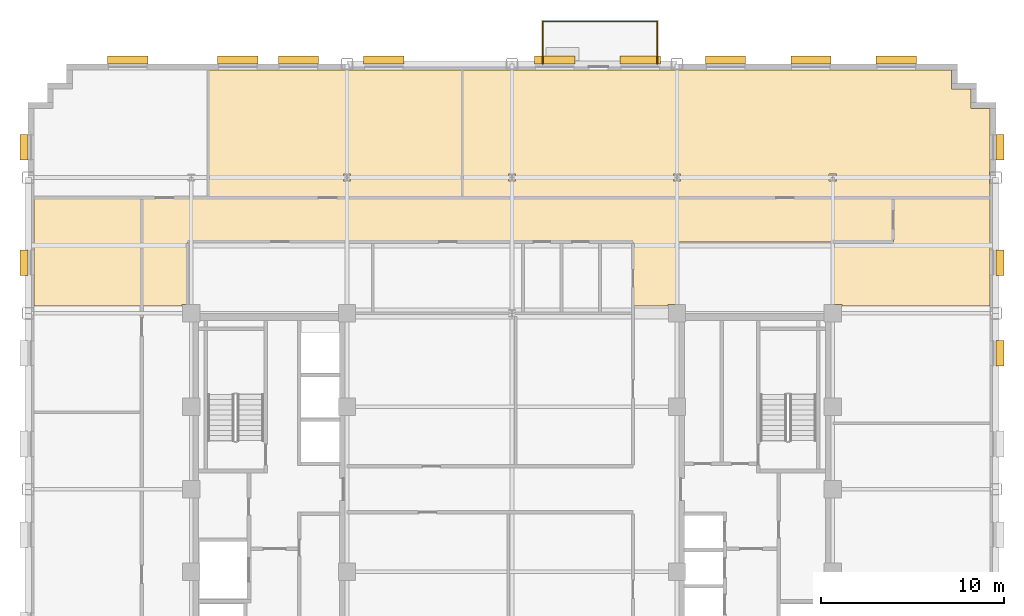
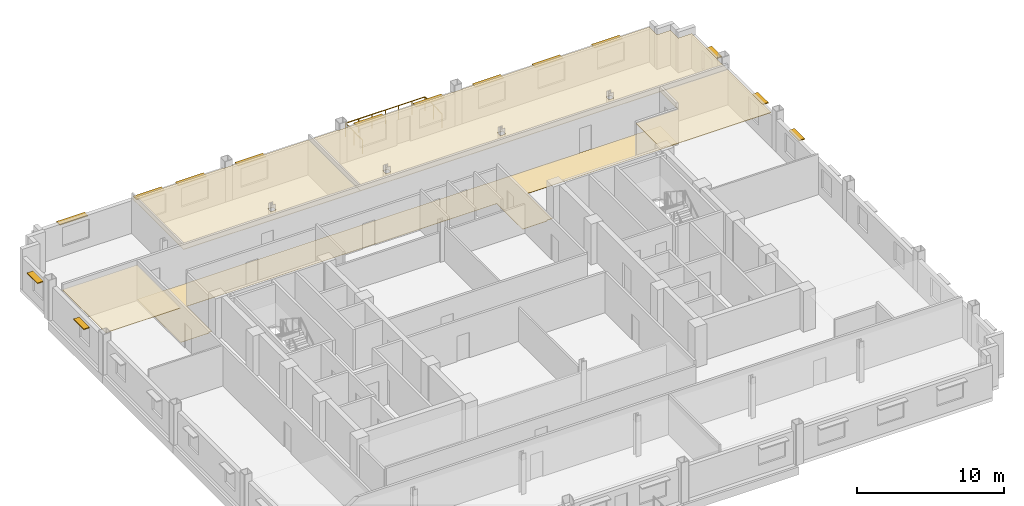
# One storey, part 14 of 14: 14 shading devices, 5 coverings, 1 railing.
"""IFC4 building model written with IfcOpenShell, lengths in metres."""

from ifc_helpers import new_model, si_unit, direction, frame, origin, origin_2d, place, context, subcontext, project, spatial, polyline, rectangle, circle, outline, extrude, source, transform, mapped, material, layer, layer_set, type_object, type_shapes, element, save


model = new_model("IFC4")

# Units and contexts
model_context = context("Model", 3, precision=1e-05, world=origin(), true_north=direction((0.0, 1.0)))
body_context = subcontext(model_context, "Body", "Model", "MODEL_VIEW")
ifc_project = project(units=[si_unit("LENGTHUNIT", "METRE"), si_unit("AREAUNIT", "SQUARE_METRE"), si_unit("VOLUMEUNIT", "CUBIC_METRE"), si_unit("PLANEANGLEUNIT", "RADIAN"), si_unit("MASSUNIT", "GRAM", prefix="KILO")], contexts=[model_context])

# Site, building, storey
site_placement = place(None, origin())
site = spatial("IfcSite", under=ifc_project, at=site_placement, CompositionType="ELEMENT")
building_placement = place(site_placement, origin())
building = spatial("IfcBuilding", under=site, at=building_placement, Name="Nuvemarco Arch Tower", CompositionType="ELEMENT")
storey_placement = place(building_placement, frame((0.0, 0.0, 145.75)))
storey = spatial("IfcBuildingStorey", under=building, at=storey_placement, Name="L38", CompositionType="ELEMENT", Elevation=145.75)

# Coverings
ifc_material_1 = material(Name="Mineral acoustic ceiling tile")
ifc_layer_1 = layer(ifc_material_1, 0.0400390625, Name="COV-ACOUSTIC-CLG")
ifc_layer_set_1 = layer_set([ifc_layer_1], Name="Mineral acoustic ceiling tile")
covering_type_1 = type_object("IfcCoveringType", Name="COV-ACOUSTIC-CLG", PredefinedType="CEILING", material=ifc_layer_set_1)
covering_1_placement = place(storey_placement, frame((0.0, 0.0, 2.85009765625)))
element("IfcCovering", 1, at=covering_1_placement, inside=storey, type_object=covering_type_1, Name="L38 suspended acoustic ceiling 2", PredefinedType="CEILING", context=body_context, shape_type="SweptSolid", body=[
    extrude(outline(polyline([(26.080078125, 20.780029296875), (26.080078125, 17.340087890625), (26.06005859375, 17.340087890625), (26.06005859375, 16.659912109375), (26.080078125, 16.659912109375), (26.080078125, 15.89990234375), (20.800048828125, 15.89990234375), (9.0, 15.89990234375), (6.60009765625, 15.89990234375), (-2.7099609375, 15.89990234375), (-2.7099609375, 22.8798828125), (-0.340087890625, 22.8798828125), (-0.340087890625, 22.860107421875), (0.340087890625, 22.860107421875), (0.340087890625, 22.8798828125), (8.659912109375, 22.8798828125), (8.659912109375, 22.860107421875), (9.340087890625, 22.860107421875), (9.340087890625, 22.8798828125), (23.97998046875, 22.8798828125), (23.97998046875, 21.830078125), (25.030029296875, 21.830078125), (25.030029296875, 20.780029296875), (26.080078125, 20.780029296875)]), holes=[polyline([(0.195068359375, 16.804931640625), (0.195068359375, 17.195068359375), (-0.195068359375, 17.195068359375), (-0.195068359375, 16.804931640625), (0.195068359375, 16.804931640625)]), polyline([(9.195068359375, 17.195068359375), (8.804931640625, 17.195068359375), (8.804931640625, 16.804931640625), (9.195068359375, 16.804931640625), (9.195068359375, 17.195068359375)]), polyline([(17.695068359375, 16.804931640625), (17.695068359375, 17.195068359375), (17.304931640625, 17.195068359375), (17.304931640625, 16.804931640625), (17.695068359375, 16.804931640625)])]), origin(), (0.0, 0.0, 1.0), 0.039794921875),
])
covering_2_placement = place(storey_placement, frame((0.0, 0.0, 2.85009765625)))
element("IfcCovering", 2, at=covering_2_placement, inside=storey, type_object=covering_type_1, Name="L38 suspended acoustic ceiling 6", PredefinedType="CEILING", context=body_context, shape_type="SweptSolid", body=[
    extrude(outline(polyline([(17.989990234375, 10.090087890625), (17.5, 10.090087890625), (17.5, 13.5), (20.800048828125, 13.5), (20.800048828125, 15.89990234375), (26.080078125, 15.89990234375), (26.080078125, 10.0), (17.989990234375, 10.0), (17.989990234375, 10.090087890625)])), origin(), (0.0, 0.0, 1.0), 0.039794921875),
])
covering_3_placement = place(storey_placement, frame((0.0, 0.0, 2.85009765625)))
element("IfcCovering", 3, at=covering_3_placement, inside=storey, type_object=covering_type_1, Name="L38 suspended acoustic ceiling 7", PredefinedType="CEILING", context=body_context, shape_type="SweptSolid", body=[
    extrude(outline(polyline([(-2.7099609375, 15.89990234375), (-16.570068359375, 15.89990234375), (-16.570068359375, 22.8798828125), (-9.340087890625, 22.8798828125), (-9.340087890625, 22.860107421875), (-8.659912109375, 22.860107421875), (-8.659912109375, 22.8798828125), (-2.7099609375, 22.8798828125), (-2.7099609375, 15.89990234375)]), holes=[polyline([(-8.804931640625, 16.804931640625), (-8.804931640625, 17.195068359375), (-9.195068359375, 17.195068359375), (-9.195068359375, 16.804931640625), (-8.804931640625, 16.804931640625)])]), origin(), (0.0, 0.0, 1.0), 0.039794921875),
])
covering_4_placement = place(storey_placement, frame((0.0, 0.0, 2.85009765625)))
element("IfcCovering", 4, at=covering_4_placement, inside=storey, type_object=covering_type_1, Name="L38 suspended acoustic ceiling 9", PredefinedType="CEILING", context=body_context, shape_type="SweptSolid", body=[
    extrude(outline(polyline([(-20.199951171875, 15.89990234375), (-20.199951171875, 13.5), (-20.199951171875, 10.0), (-26.080078125, 10.0), (-26.080078125, 15.89990234375), (-20.199951171875, 15.89990234375)])), origin(), (0.0, 0.0, 1.0), 0.039794921875),
])
ifc_material_2 = material(Name="Polished granite terrazzostone flooring", Category="masonry")
ifc_layer_2 = layer(ifc_material_2, 0.02001953125, Name="COV-LOBBY-FLR")
ifc_layer_set_2 = layer_set([ifc_layer_2], Name="Polished granite terrazzostone flooring")
covering_type_2 = type_object("IfcCoveringType", Name="COV-LOBBY-FLR", PredefinedType="FLOORING", material=ifc_layer_set_2)
covering_5_placement = place(storey_placement, origin())
element("IfcCovering", 5, at=covering_5_placement, inside=storey, type_object=covering_type_2, Name="L38 polished terrazzo lobby flooring", PredefinedType="FLOORING", context=body_context, shape_type="SweptSolid", body=[
    extrude(outline(polyline([(-20.199951171875, 13.5), (-20.199951171875, 15.89990234375), (-17.699951171875, 15.89990234375), (6.60009765625, 15.89990234375), (9.0, 15.89990234375), (20.800048828125, 15.89990234375), (20.800048828125, 13.5), (9.0, 13.5), (9.0, 10.090087890625), (8.510009765625, 10.090087890625), (8.510009765625, 10.0), (6.60009765625, 10.0), (6.60009765625, 13.5), (-17.699951171875, 13.5), (-17.699951171875, 10.090087890625), (-17.989990234375, 10.090087890625), (-17.989990234375, 10.0), (-20.199951171875, 10.0), (-20.199951171875, 13.5)])), origin(), (0.0, 0.0, 1.0), 0.02001953125),
])

# Railing
ifc_material_3 = material(Name="Dark anodised balustrade steel S355", Category="steel")
railing_type = type_object("IfcRailingType", Name="RL-TERR-GUARD", PredefinedType="BALUSTRADE", material=ifc_material_3)
railing_placement = place(storey_placement, frame((1.679931640625, 23.199951171875, 0.0)))
element("IfcRailing", 6, at=railing_placement, inside=storey, type_object=railing_type, Name="L38 spiral terrace perimeter balustrade guard", PredefinedType="BALUSTRADE", context=body_context, shape_type="SweptSolid", body=[
    extrude(circle(Radius=0.02392578125, at=origin_2d()), frame((0.0, 0.0, 1.1259765625), z_axis=(0.0, 1.0, 0.0), x_axis=(-1.0, 0.0, 0.0)), (0.0, 0.0, 1.0), 2.320068359375),
    extrude(circle(Radius=0.02392578125, at=origin_2d()), frame((0.0, 2.320068359375, 1.1259765625), z_axis=(1.0, 0.0, 0.0), x_axis=(0.0, 1.0, 0.0)), (0.0, 0.0, 1.0), 6.239990234375),
    extrude(circle(Radius=0.02392578125, at=origin_2d()), frame((6.239990234375, 2.320068359375, 1.1259765625), z_axis=(0.0, -1.0, 0.0), x_axis=(1.0, 0.0, 0.0)), (0.0, 0.0, 1.0), 2.320068359375),
    extrude(circle(Radius=0.02099609375, at=origin_2d()), origin(), (0.0, 0.0, 1.0), 1.101806640625),
    extrude(circle(Radius=0.02099609375, at=origin_2d()), frame((0.0, 1.16015625, 0.0)), (0.0, 0.0, 1.0), 1.101806640625),
    extrude(circle(Radius=0.02099609375, at=origin_2d()), frame((0.0, 2.320068359375, 0.0)), (0.0, 0.0, 1.0), 1.101806640625),
    extrude(circle(Radius=0.02099609375, at=origin_2d()), frame((1.0400390625, 2.320068359375, 0.0)), (0.0, 0.0, 1.0), 1.101806640625),
    extrude(circle(Radius=0.02099609375, at=origin_2d()), frame((2.080078125, 2.320068359375, 0.0)), (0.0, 0.0, 1.0), 1.101806640625),
    extrude(circle(Radius=0.02099609375, at=origin_2d()), frame((3.1201171875, 2.320068359375, 0.0)), (0.0, 0.0, 1.0), 1.101806640625),
    extrude(circle(Radius=0.02099609375, at=origin_2d()), frame((4.159912109375, 2.320068359375, 0.0)), (0.0, 0.0, 1.0), 1.101806640625),
    extrude(circle(Radius=0.02099609375, at=origin_2d()), frame((5.199951171875, 2.320068359375, 0.0)), (0.0, 0.0, 1.0), 1.101806640625),
    extrude(circle(Radius=0.02099609375, at=origin_2d()), frame((6.239990234375, 2.320068359375, 0.0)), (0.0, 0.0, 1.0), 1.101806640625),
    extrude(circle(Radius=0.02099609375, at=origin_2d()), frame((6.239990234375, 1.16015625, 0.0)), (0.0, 0.0, 1.0), 1.101806640625),
    extrude(circle(Radius=0.02099609375, at=origin_2d()), frame((6.239990234375, 0.0, 0.0)), (0.0, 0.0, 1.0), 1.101806640625),
])

# Shading devices
ifc_material_4 = material(Name="Anodised aluminium 6063-T6", Category="aluminium")
shading_device_type_1 = type_object("IfcShadingDeviceType", Name="SHD-BRISE-SOLEIL", PredefinedType="USERDEFINED", material=ifc_material_4)
shared_shape_1 = source(origin(), body_context, "Body", "SweptSolid", [
    extrude(rectangle(XDim=2.199951171875, YDim=0.449951171875, at=origin_2d()), origin(), (0.0, 0.0, 1.0), 0.080078125),
])
type_shapes(shading_device_type_1, [shared_shape_1])
for number, where, z_axis, x_axis, name in (
    (7, (-20.969970703125, 23.4150390625, 2.364990234375), (0.0, 0.0, 1.0), (1.0, 0.0, 0.0), "L38 horizontal brise-soleil sunshade"),
    (8, (-14.9599609375, 23.4150390625, 2.364990234375), (0.0, 0.0, 1.0), (1.0, 0.0, 0.0), "L38 horizontal brise-soleil sunshade"),
    (9, (-11.64990234375, 23.4150390625, 2.364990234375), (0.0, 0.0, 1.0), (1.0, 0.0, 0.0), "L38 horizontal brise-soleil sunshade"),
    (10, (-6.989990234375, 23.4150390625, 2.364990234375), (0.0, 0.0, 1.0), (1.0, 0.0, 0.0), "L38 horizontal brise-soleil sunshade"),
    (11, (2.330078125, 23.4150390625, 2.364990234375), (0.0, 0.0, 1.0), (1.0, 0.0, 0.0), "L38 horizontal brise-soleil sunshade"),
    (12, (6.989990234375, 23.4150390625, 2.364990234375), (0.0, 0.0, 1.0), (1.0, 0.0, 0.0), "L38 horizontal brise-soleil sunshade"),
    (13, (11.64990234375, 23.4150390625, 2.364990234375), (0.0, 0.0, 1.0), (1.0, 0.0, 0.0), "L38 horizontal brise-soleil sunshade"),
    (14, (16.31005859375, 23.4150390625, 2.364990234375), (0.0, 0.0, 1.0), (1.0, 0.0, 0.0), "L38 horizontal brise-soleil sunshade"),
    (15, (20.969970703125, 23.4150390625, 2.364990234375), (0.0, 0.0, 1.0), (1.0, 0.0, 0.0), "L38 horizontal brise-soleil sunshade"),
):
    element("IfcShadingDevice", number, at=place(storey_placement, frame(where, z_axis=z_axis, x_axis=x_axis)), inside=storey, type_object=shading_device_type_1, Name=name, ObjectType="SUNSHADE", PredefinedType="USERDEFINED", context=body_context, shape_type="MappedRepresentation", body=[
        mapped(shared_shape_1, transform((0.0, 0.0, 0.0), scale=1.0)),
    ])
shading_device_type_2 = type_object("IfcShadingDeviceType", Name="SHD-BRISE-NARROW", PredefinedType="USERDEFINED", material=ifc_material_4)
shared_shape_2 = source(origin(), body_context, "Body", "SweptSolid", [
    extrude(rectangle(XDim=1.39990234375, YDim=0.449951171875, at=origin_2d()), origin(), (0.0, 0.0, 1.0), 0.080078125),
])
type_shapes(shading_device_type_2, [shared_shape_2])
for number, where, z_axis, x_axis, name in (
    (16, (26.614990234375, 7.4189453125, 2.364990234375), (0.0, 0.0, 1.0), (0.0, 1.0, 0.0), "L38 horizontal brise-soleil sunshade"),
    (17, (26.614990234375, 12.364990234375, 2.364990234375), (0.0, 0.0, 1.0), (0.0, 1.0, 0.0), "L38 horizontal brise-soleil sunshade"),
    (18, (26.614990234375, 18.660888671875, 2.364990234375), (0.0, 0.0, 1.0), (0.0, 1.0, 0.0), "L38 horizontal brise-soleil sunshade"),
    (19, (-26.614990234375, 12.364990234375, 2.364990234375), (0.0, 0.0, 1.0), (0.0, 1.0, 0.0), "L38 horizontal brise-soleil sunshade"),
    (20, (-26.614990234375, 18.660888671875, 2.364990234375), (0.0, 0.0, 1.0), (0.0, 1.0, 0.0), "L38 horizontal brise-soleil sunshade"),
):
    element("IfcShadingDevice", number, at=place(storey_placement, frame(where, z_axis=z_axis, x_axis=x_axis)), inside=storey, type_object=shading_device_type_2, Name=name, ObjectType="SUNSHADE", PredefinedType="USERDEFINED", context=body_context, shape_type="MappedRepresentation", body=[
        mapped(shared_shape_2, transform((0.0, 0.0, 0.0), scale=1.0)),
    ])

save(model, "model.ifc")
